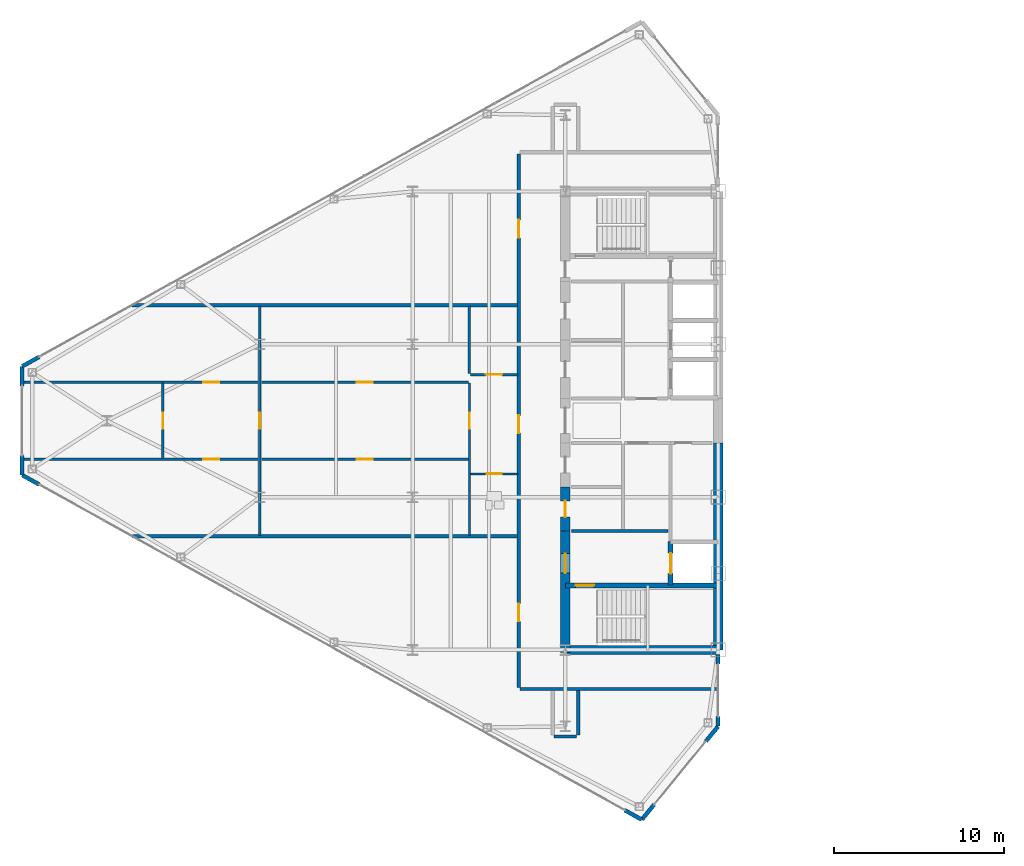
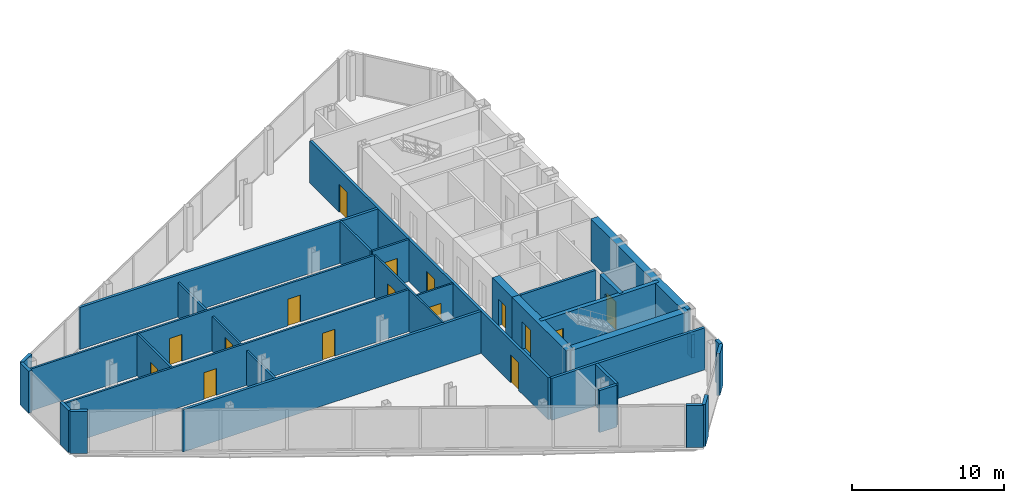
# One storey, part 19 of 26: 30 walls, 16 doors, 16 openings.
"""IFC4 building model written with IfcOpenShell, lengths in metres."""

import ifcopenshell
import ifcopenshell.guid

model = None  # the IFC model being written
_history = None  # IfcOwnerHistory: only IFC2X3 demands one
_inside = {}  # id of a spatial element -> (the spatial element, [elements in it])
_under = {}  # id of a project, library or spatial element -> (it, [spatial elements below it])
_declared = {}  # id of a project -> (the project, [libraries it declares])
_typed = {}  # id of a type object -> (the type object, [elements of that type])
_made_of = {}  # id of a material, layer set ... -> (it, [elements and type objects made of it])


def new_model(schema):
    """Start an empty IFC model of exactly this schema.

    Asked for "IFC4X3", IfcOpenShell would pick the latest addendum, in which some entities
    have other attributes; the version numbers below select the first issue.
    IFC2X3 requires an IfcOwnerHistory on every rooted entity: one is made here for all.
    """
    global model, _history
    if schema == "IFC4X3":
        model = ifcopenshell.file(schema_version=(4, 3, 0, 0))
    else:
        model = ifcopenshell.file(schema=schema)
    _inside.clear()
    _under.clear()
    _declared.clear()
    _typed.clear()
    _made_of.clear()
    _history = None
    if model.schema == "IFC2X3":
        org = make("IfcOrganization", Name="unknown")
        user = make(
            "IfcPersonAndOrganization",
            ThePerson=make("IfcPerson", FamilyName="unknown"),
            TheOrganization=org,
        )
        app = make(
            "IfcApplication",
            ApplicationDeveloper=org,
            Version="unknown",
            ApplicationFullName="unknown",
            ApplicationIdentifier="unknown",
        )
        _history = make(
            "IfcOwnerHistory",
            OwningUser=user,
            OwningApplication=app,
            ChangeAction="ADDED",
            CreationDate=0,
        )
    return model


def make(cls, **values):
    """One entity of the class cls with the attributes given. An attribute that is None is left unset."""
    return model.create_entity(
        cls, **{name: value for name, value in values.items() if value is not None}
    )


def rooted(cls, **values):
    """An entity with a GlobalId (a new one), such as an element, a storey or a relation."""
    return make(cls, GlobalId=ifcopenshell.guid.new(), OwnerHistory=_history, **values)


def si_unit(unit_type, name, prefix=None):
    """IfcSIUnit, for example si_unit("LENGTHUNIT", "METRE", prefix="MILLI")."""
    return make("IfcSIUnit", UnitType=unit_type, Prefix=prefix, Name=name)


def assignment(units):
    """IfcUnitAssignment: the units of a project."""
    return None if units is None else make("IfcUnitAssignment", Units=units)


def point(xyz):
    """IfcCartesianPoint."""
    return None if xyz is None else make("IfcCartesianPoint", Coordinates=xyz)


def direction(xyz):
    """IfcDirection."""
    return None if xyz is None else make("IfcDirection", DirectionRatios=xyz)


def frame(location, z_axis=None, x_axis=None):
    """IfcAxis2Placement3D, a coordinate frame: its origin and axes. An axis left out is left unset."""
    return make(
        "IfcAxis2Placement3D",
        Location=point(location),
        Axis=direction(z_axis),
        RefDirection=direction(x_axis),
    )


def frame_2d(location, x_axis=None):
    """IfcAxis2Placement2D, a coordinate frame in the plane: its origin and x axis."""
    return make(
        "IfcAxis2Placement2D", Location=point(location), RefDirection=direction(x_axis)
    )


def origin():
    """The frame at (0, 0, 0) with its axes left unset."""
    return frame((0.0, 0.0, 0.0))


def place(relative_to, where):
    """IfcLocalPlacement: puts the frame where relative to a parent placement (None: the world)."""
    return make(
        "IfcLocalPlacement", PlacementRelTo=relative_to, RelativePlacement=where
    )


def context(
    kind, dimensions, precision=None, world=None, true_north=None, identifier=None
):
    """IfcGeometricRepresentationContext, for example the 3D "Model" context."""
    return make(
        "IfcGeometricRepresentationContext",
        ContextIdentifier=identifier,
        ContextType=kind,
        CoordinateSpaceDimension=dimensions,
        Precision=precision,
        WorldCoordinateSystem=world,
        TrueNorth=true_north,
    )


def subcontext(parent, identifier, kind, view, scale=None):
    """IfcGeometricRepresentationSubContext, for example "Body" below "Model"."""
    return make(
        "IfcGeometricRepresentationSubContext",
        ContextIdentifier=identifier,
        ContextType=kind,
        ParentContext=parent,
        TargetScale=scale,
        TargetView=view,
    )


def project(units=None, contexts=None):
    """IfcProject with its units and contexts."""
    return rooted(
        "IfcProject",
        Name="project",
        RepresentationContexts=contexts,
        UnitsInContext=assignment(units),
    )


def spatial(cls, under=None, at=None, **own):
    """A site, building, storey or space (cls), placed at a placement, below another one or the project."""
    s = rooted(cls, ObjectPlacement=at, **own)
    if under is not None:
        _under.setdefault(under.id(), (under, []))[1].append(s)
    return s


def profile(cls, at=None, kind="AREA", **sizes):
    """A parametric profile (cls). Its sizes go by their IFC names, for example OverallWidth=200.0."""
    return make(cls, ProfileType=kind, Position=at, **sizes)


def rectangle(**sizes):
    """IfcRectangleProfileDef."""
    return profile("IfcRectangleProfileDef", **sizes)


def extrude(swept, where, along, depth):
    """IfcExtrudedAreaSolid: the profile swept, set in the frame where, extruded along a direction by depth."""
    return make(
        "IfcExtrudedAreaSolid",
        SweptArea=swept,
        Position=where,
        ExtrudedDirection=direction(along),
        Depth=depth,
    )


def shape(context_of_items, identifier, shape_type, items):
    """IfcShapeRepresentation: the items that make up one representation, for example the "Body"."""
    return make(
        "IfcShapeRepresentation",
        ContextOfItems=context_of_items,
        RepresentationIdentifier=identifier,
        RepresentationType=shape_type,
        Items=items,
    )


def source(mapping_origin, context_of_items, identifier, shape_type, items):
    """IfcRepresentationMap: a shape defined once, which mapped items show again and again."""
    return make(
        "IfcRepresentationMap",
        MappingOrigin=mapping_origin,
        MappedRepresentation=shape(context_of_items, identifier, shape_type, items),
    )


def transform(
    local_origin,
    x_axis=None,
    y_axis=None,
    z_axis=None,
    scale=None,
    scale2=None,
    scale3=None,
    uniform=True,
):
    """IfcCartesianTransformationOperator3D, or its non-uniform kind. x_axis, y_axis, z_axis: its Axis1, 2, 3."""
    if uniform:
        return make(
            "IfcCartesianTransformationOperator3D",
            Axis1=direction(x_axis),
            Axis2=direction(y_axis),
            LocalOrigin=point(local_origin),
            Scale=scale,
            Axis3=direction(z_axis),
        )
    return make(
        "IfcCartesianTransformationOperator3DnonUniform",
        Axis1=direction(x_axis),
        Axis2=direction(y_axis),
        LocalOrigin=point(local_origin),
        Scale=scale,
        Axis3=direction(z_axis),
        Scale2=scale2,
        Scale3=scale3,
    )


def mapped(mapping_source, mapping_target):
    """IfcMappedItem: shows the shape of a source again, moved by a transform."""
    return make(
        "IfcMappedItem", MappingSource=mapping_source, MappingTarget=mapping_target
    )


def material(Name=None, Category=None):
    """IfcMaterial."""
    return make("IfcMaterial", Name=Name, Category=Category)


def layer(
    of_material, thickness, ventilated=None, Name=None, Category=None, Priority=None
):
    """IfcMaterialLayer: one layer of a wall or slab, of a material (None: an air gap)."""
    return make(
        "IfcMaterialLayer",
        Material=of_material,
        LayerThickness=thickness,
        IsVentilated=ventilated,
        Name=Name,
        Category=Category,
        Priority=Priority,
    )


def layer_set(layers, Name=None):
    """IfcMaterialLayerSet."""
    return make("IfcMaterialLayerSet", MaterialLayers=layers, LayerSetName=Name)


def made_of(thing, what):
    """Note that an element or type object is made of a material, layer set ...; save() writes the relation."""
    if what is not None:
        _made_of.setdefault(what.id(), (what, []))[1].append(thing)
    return thing


def type_object(cls, material=None, **own):
    """A type object (cls), such as IfcWallType, which elements share."""
    return made_of(rooted(cls, **own), material)


def type_shapes(of_type, sources):
    """Give a type object the sources (RepresentationMaps) that its elements show as mapped items."""
    of_type.RepresentationMaps = sources


def element(
    cls,
    number,
    at=None,
    inside=None,
    cuts=None,
    type_object=None,
    material=None,
    context=None,
    identifier="Body",
    shape_type=None,
    held_by="IfcProductDefinitionShape",
    body=None,
    shapes=None,
    **own,
):
    """One element of the class cls, such as IfcWall. Its Tag is "e" and its number.

    at: its placement. inside: the storey or other place that contains it. cuts: it is an
    opening in that element (IfcRelVoidsElement). A single representation is given by context,
    identifier, shape_type and body (its items); several are given by shapes. held_by: the class
    of the entity that holds the representations. save() writes the other relations.
    """
    e = rooted(cls, Tag="e%d" % number, ObjectPlacement=at, **own)
    if body is not None:
        shapes = [shape(context, identifier, shape_type, body)]
    if shapes is not None:
        e.Representation = make(held_by, Representations=shapes)
    if inside is not None:
        _inside.setdefault(inside.id(), (inside, []))[1].append(e)
    if cuts is not None:
        rooted(
            "IfcRelVoidsElement", RelatingBuildingElement=cuts, RelatedOpeningElement=e
        )
    if type_object is not None:
        _typed.setdefault(type_object.id(), (type_object, []))[1].append(e)
    return made_of(e, material)


def fill(opening, filler):
    """IfcRelFillsElement: the door or window that sits in an opening."""
    return rooted(
        "IfcRelFillsElement",
        RelatingOpeningElement=opening,
        RelatedBuildingElement=filler,
    )


def aggregate(whole, parts):
    """IfcRelAggregates: a whole, such as a stair, and the parts it consists of."""
    return rooted("IfcRelAggregates", RelatingObject=whole, RelatedObjects=parts)


def save(model, path):
    """Write the relations noted so far, then the file.

    IfcRelAggregates (storeys below a building ...), IfcRelContainedInSpatialStructure (elements
    in a storey), IfcRelDefinesByType, IfcRelAssociatesMaterial and IfcRelDeclares: one each for
    every whole, place, type object, material and project.
    """
    for whole, parts in _under.values():
        aggregate(whole, parts)
    for where, things in _inside.values():
        rooted(
            "IfcRelContainedInSpatialStructure",
            RelatedElements=things,
            RelatingStructure=where,
        )
    for kind, things in _typed.values():
        rooted("IfcRelDefinesByType", RelatedObjects=things, RelatingType=kind)
    for what, things in _made_of.values():
        rooted("IfcRelAssociatesMaterial", RelatedObjects=things, RelatingMaterial=what)
    for by, libraries in _declared.values():
        rooted("IfcRelDeclares", RelatingContext=by, RelatedDefinitions=libraries)
    model.write(path)


model = new_model("IFC4")

# Units and contexts
model_context = context("Model", 3, precision=1e-05, world=origin(), true_north=direction((0.0, 1.0)))
body_context = subcontext(model_context, "Body", "Model", "MODEL_VIEW")
ifc_project = project(units=[si_unit("LENGTHUNIT", "METRE"), si_unit("AREAUNIT", "SQUARE_METRE"), si_unit("VOLUMEUNIT", "CUBIC_METRE"), si_unit("PLANEANGLEUNIT", "RADIAN"), si_unit("MASSUNIT", "GRAM", prefix="KILO")], contexts=[model_context])

# Site, building, storey
site_placement = place(None, origin())
site = spatial("IfcSite", under=ifc_project, at=site_placement, CompositionType="ELEMENT")
building_placement = place(site_placement, origin())
building = spatial("IfcBuilding", under=site, at=building_placement, Name="Seokmaru Belvedere", CompositionType="ELEMENT")
storey_placement = place(building_placement, frame((0.0, 0.0, 192.300048828125)))
storey = spatial("IfcBuildingStorey", under=building, at=storey_placement, Name="L51", CompositionType="ELEMENT", Elevation=192.300048828125)

# Wall, openings, doors
ifc_material_1 = material(Name="Fire-Rated Gypsum Shaftwall")
ifc_layer_1 = layer(ifc_material_1, 0.14990234375)
ifc_layer_set_1 = layer_set([ifc_layer_1], Name="Fire-Rated Gypsum Shaftwall")
wall_type_1 = type_object("IfcWallType", Name="Apartment Fire-Acoustic Room Partition 150", PredefinedType="PARTITIONING", material=ifc_layer_set_1)
wall_1_placement = place(storey_placement, frame((-68.375, -2.27001953125, 0.0), z_axis=(0.0, 0.0, 1.0), x_axis=(1.0, 0.0, 0.0)))
wall_1 = element("IfcWall", 1, at=wall_1_placement, inside=storey, type_object=wall_type_1, Name="L51 Interior Partition 010", PredefinedType="PARTITIONING", context=body_context, shape_type="SweptSolid", body=[
    extrude(rectangle(XDim=26.175048828125, YDim=0.14990234375, at=frame_2d((13.08740234375, 0.0))), origin(), (0.0, 0.0, 1.0), 3.3798828125),
])
opening_1_placement = place(wall_1_placement, frame((19.574951171875, 0.0, 0.0)))
opening_1 = element("IfcOpeningElement", 2, at=opening_1_placement, cuts=wall_1, Name="Opening D05", PredefinedType="OPENING", context=body_context, shape_type="SweptSolid", body=[
    extrude(rectangle(XDim=0.949951171875, YDim=2.14990234375, at=frame_2d((0.47509765625, 1.074951171875))), frame((0.0, 0.0849609375, 0.0), z_axis=(0.0, -1.0, 0.0), x_axis=(1.0, 0.0, 0.0)), (0.0, 0.0, 1.0), 0.169921875),
])
opening_2_placement = place(wall_1_placement, frame((10.550048828125, 0.0, 0.0)))
opening_2 = element("IfcOpeningElement", 3, at=opening_2_placement, cuts=wall_1, Name="Opening D05", PredefinedType="OPENING", context=body_context, shape_type="SweptSolid", body=[
    extrude(rectangle(XDim=0.949951171875, YDim=2.14990234375, at=frame_2d((0.47509765625, 1.074951171875))), frame((0.0, 0.0849609375, 0.0), z_axis=(0.0, -1.0, 0.0), x_axis=(1.0, 0.0, 0.0)), (0.0, 0.0, 1.0), 0.169921875),
])
ifc_material_2 = material(Name="Engineered White Oak Timber", Category="wood")
door_type_1 = type_object("IfcDoorType", Name="Apartment Interior Fire-Rated Oak Door 950x2150", OperationType="NOTDEFINED", PredefinedType="DOOR", material=ifc_material_2)
shared_shape_1 = source(origin(), body_context, "Body", "SweptSolid", [
    extrude(rectangle(XDim=0.949951171875, YDim=2.14990234375, at=frame_2d((0.47509765625, 1.074951171875))), frame((0.0, 0.02490234375, 0.0), z_axis=(0.0, -1.0, 0.0), x_axis=(1.0, 0.0, 0.0)), (0.0, 0.0, 1.0), 0.050048828125),
])
type_shapes(door_type_1, [shared_shape_1])
door_1_placement = place(opening_1_placement, origin())
door_1 = element("IfcDoor", 4, at=door_1_placement, inside=storey, type_object=door_type_1, Name="L51 Interior Door 007", OperationType="SINGLE_SWING_RIGHT", OverallHeight=2.14990234375, OverallWidth=0.949951171875, PredefinedType="DOOR", context=body_context, shape_type="MappedRepresentation", body=[
    mapped(shared_shape_1, transform((0.0, 0.0, 0.0), scale=1.0)),
])
fill(opening_1, door_1)
door_2_placement = place(opening_2_placement, origin())
door_2 = element("IfcDoor", 5, at=door_2_placement, inside=storey, type_object=door_type_1, Name="L51 Interior Door 009", OperationType="SINGLE_SWING_LEFT", OverallHeight=2.14990234375, OverallWidth=0.949951171875, PredefinedType="DOOR", context=body_context, shape_type="MappedRepresentation", body=[
    mapped(shared_shape_1, transform((0.0, 0.0, 0.0), scale=1.0)),
])
fill(opening_2, door_2)

wall_2_placement = place(storey_placement, frame((-68.375, 2.27001953125, 0.0), z_axis=(0.0, 0.0, 1.0), x_axis=(1.0, 0.0, 0.0)))
wall_2 = element("IfcWall", 6, at=wall_2_placement, inside=storey, type_object=wall_type_1, Name="L51 Interior Partition 013", PredefinedType="PARTITIONING", context=body_context, shape_type="SweptSolid", body=[
    extrude(rectangle(XDim=26.175048828125, YDim=0.14990234375, at=frame_2d((13.08740234375, 0.0))), origin(), (0.0, 0.0, 1.0), 3.3798828125),
])
opening_3_placement = place(wall_2_placement, frame((19.574951171875, 0.0, 0.0)))
opening_3 = element("IfcOpeningElement", 7, at=opening_3_placement, cuts=wall_2, Name="Opening D05", PredefinedType="OPENING", context=body_context, shape_type="SweptSolid", body=[
    extrude(rectangle(XDim=0.949951171875, YDim=2.14990234375, at=frame_2d((0.47509765625, 1.074951171875))), frame((0.0, 0.0849609375, 0.0), z_axis=(0.0, -1.0, 0.0), x_axis=(1.0, 0.0, 0.0)), (0.0, 0.0, 1.0), 0.169921875),
])
opening_4_placement = place(wall_2_placement, frame((10.550048828125, 0.0, 0.0)))
opening_4 = element("IfcOpeningElement", 8, at=opening_4_placement, cuts=wall_2, Name="Opening D05", PredefinedType="OPENING", context=body_context, shape_type="SweptSolid", body=[
    extrude(rectangle(XDim=0.949951171875, YDim=2.14990234375, at=frame_2d((0.47509765625, 1.074951171875))), frame((0.0, 0.0849609375, 0.0), z_axis=(0.0, -1.0, 0.0), x_axis=(1.0, 0.0, 0.0)), (0.0, 0.0, 1.0), 0.169921875),
])
door_3_placement = place(opening_3_placement, origin())
door_3 = element("IfcDoor", 9, at=door_3_placement, inside=storey, type_object=door_type_1, Name="L51 Interior Door 008", OperationType="SINGLE_SWING_LEFT", OverallHeight=2.14990234375, OverallWidth=0.949951171875, PredefinedType="DOOR", context=body_context, shape_type="MappedRepresentation", body=[
    mapped(shared_shape_1, transform((0.0, 0.0, 0.0), scale=1.0)),
])
fill(opening_3, door_3)
door_4_placement = place(opening_4_placement, origin())
door_4 = element("IfcDoor", 10, at=door_4_placement, inside=storey, type_object=door_type_1, Name="L51 Interior Door 011", OperationType="SINGLE_SWING_RIGHT", OverallHeight=2.14990234375, OverallWidth=0.949951171875, PredefinedType="DOOR", context=body_context, shape_type="MappedRepresentation", body=[
    mapped(shared_shape_1, transform((0.0, 0.0, 0.0), scale=1.0)),
])
fill(opening_4, door_4)

# Wall, opening, door
wall_3_placement = place(storey_placement, frame((-42.10009765625, 2.719970703125, 0.0), z_axis=(0.0, 0.0, 1.0), x_axis=(1.0, 0.0, 0.0)))
wall_3 = element("IfcWall", 11, at=wall_3_placement, inside=storey, type_object=wall_type_1, Name="L51 Interior Partition 014", PredefinedType="PARTITIONING", context=body_context, shape_type="SweptSolid", body=[
    extrude(rectangle(XDim=2.800048828125, YDim=0.14990234375, at=frame_2d((1.39990234375, 0.0))), origin(), (0.0, 0.0, 1.0), 3.3798828125),
])
opening_5_placement = place(wall_3_placement, frame((0.925048828125, 0.0, 0.0)))
opening_5 = element("IfcOpeningElement", 12, at=opening_5_placement, cuts=wall_3, Name="Opening D05", PredefinedType="OPENING", context=body_context, shape_type="SweptSolid", body=[
    extrude(rectangle(XDim=0.949951171875, YDim=2.14990234375, at=frame_2d((0.47509765625, 1.074951171875))), frame((0.0, 0.0849609375, 0.0), z_axis=(0.0, -1.0, 0.0), x_axis=(1.0, 0.0, 0.0)), (0.0, 0.0, 1.0), 0.169921875),
])
door_5_placement = place(opening_5_placement, origin())
door_5 = element("IfcDoor", 13, at=door_5_placement, inside=storey, type_object=door_type_1, Name="L51 Interior Door 004", OperationType="SINGLE_SWING_LEFT", OverallHeight=2.14990234375, OverallWidth=0.949951171875, PredefinedType="DOOR", context=body_context, shape_type="MappedRepresentation", body=[
    mapped(shared_shape_1, transform((0.0, 0.0, 0.0), scale=1.0)),
])
fill(opening_5, door_5)

wall_4_placement = place(storey_placement, frame((-60.199951171875, -2.217041015625, 0.0), z_axis=(0.0, 0.0, 1.0), x_axis=(0.0, 1.0, 0.0)))
wall_4 = element("IfcWall", 14, at=wall_4_placement, inside=storey, type_object=wall_type_1, Name="L51 Interior Partition 021", PredefinedType="PARTITIONING", context=body_context, shape_type="SweptSolid", body=[
    extrude(rectangle(XDim=4.43408203125, YDim=0.14990234375, at=frame_2d((2.217041015625, 0.0))), origin(), (0.0, 0.0, 1.0), 3.3798828125),
])
opening_6_placement = place(wall_4_placement, frame((1.741943359375, 0.0, 0.0)))
opening_6 = element("IfcOpeningElement", 15, at=opening_6_placement, cuts=wall_4, Name="Opening D05", PredefinedType="OPENING", context=body_context, shape_type="SweptSolid", body=[
    extrude(rectangle(XDim=0.949951171875, YDim=2.14990234375, at=frame_2d((0.47509765625, 1.074951171875))), frame((0.0, 0.0849609375, 0.0), z_axis=(0.0, -1.0, 0.0), x_axis=(1.0, 0.0, 0.0)), (0.0, 0.0, 1.0), 0.169921875),
])
door_6_placement = place(opening_6_placement, origin())
door_6 = element("IfcDoor", 16, at=door_6_placement, inside=storey, type_object=door_type_1, Name="L51 Interior Door 010", OperationType="SINGLE_SWING_RIGHT", OverallHeight=2.14990234375, OverallWidth=0.949951171875, PredefinedType="DOOR", context=body_context, shape_type="MappedRepresentation", body=[
    mapped(shared_shape_1, transform((0.0, 0.0, 0.0), scale=1.0)),
])
fill(opening_6, door_6)

wall_5_placement = place(storey_placement, frame((-54.5, -6.75, 0.0), z_axis=(0.0, 0.0, 1.0), x_axis=(0.0, 1.0, 0.0)))
wall_5 = element("IfcWall", 17, at=wall_5_placement, inside=storey, type_object=wall_type_1, Name="L51 Interior Partition 022", PredefinedType="PARTITIONING", context=body_context, shape_type="SweptSolid", body=[
    extrude(rectangle(XDim=13.5, YDim=0.14990234375, at=frame_2d((6.75, 0.0))), origin(), (0.0, 0.0, 1.0), 2.780029296875),
])
opening_7_placement = place(wall_5_placement, frame((6.27490234375, 0.0, 0.0)))
opening_7 = element("IfcOpeningElement", 18, at=opening_7_placement, cuts=wall_5, Name="Opening D05", PredefinedType="OPENING", context=body_context, shape_type="SweptSolid", body=[
    extrude(rectangle(XDim=0.949951171875, YDim=2.14990234375, at=frame_2d((0.47509765625, 1.074951171875))), frame((0.0, 0.0849609375, 0.0), z_axis=(0.0, -1.0, 0.0), x_axis=(1.0, 0.0, 0.0)), (0.0, 0.0, 1.0), 0.169921875),
])
door_7_placement = place(opening_7_placement, origin())
door_7 = element("IfcDoor", 19, at=door_7_placement, inside=storey, type_object=door_type_1, Name="L51 Interior Door 006", OperationType="SINGLE_SWING_RIGHT", OverallHeight=2.14990234375, OverallWidth=0.949951171875, PredefinedType="DOOR", context=body_context, shape_type="MappedRepresentation", body=[
    mapped(shared_shape_1, transform((0.0, 0.0, 0.0), scale=1.0)),
])
fill(opening_7, door_7)

# Walls
wall_6_placement = place(storey_placement, frame((-42.14990234375, 2.77197265625, 0.0), z_axis=(0.0, 0.0, 1.0), x_axis=(0.0, 1.0, 0.0)))
element("IfcWall", 20, at=wall_6_placement, inside=storey, type_object=wall_type_1, Name="L51 Interior Partition 024", PredefinedType="PARTITIONING", context=body_context, shape_type="SweptSolid", body=[
    extrude(rectangle(XDim=3.97802734375, YDim=0.14990234375, at=frame_2d((1.989013671875, 0.0))), origin(), (0.0, 0.0, 1.0), 3.3798828125),
])
ifc_layer_2 = layer(ifc_material_1, 0.179931640625)
ifc_layer_set_2 = layer_set([ifc_layer_2], Name="Fire-Rated Gypsum Shaftwall")
wall_type_2 = type_object("IfcWallType", Name="Core Service Fire Partition 180", PredefinedType="PARTITIONING", material=ifc_layer_set_2)
wall_7_placement = place(storey_placement, frame((-36.14990234375, -6.5, 0.0), z_axis=(0.0, 0.0, 1.0), x_axis=(1.0, 0.0, 0.0)))
element("IfcWall", 21, at=wall_7_placement, inside=storey, type_object=wall_type_2, Name="L51 West Firefighting Lobby Partition", PredefinedType="PARTITIONING", context=body_context, shape_type="SweptSolid", body=[
    extrude(rectangle(XDim=5.699951171875, YDim=0.179931640625, at=frame_2d((2.85009765625, 0.0))), origin(), (0.0, 0.0, 1.0), 3.3798828125),
])
ifc_layer_3 = layer(ifc_material_1, 0.199951171875)
ifc_layer_set_3 = layer_set([ifc_layer_3], Name="Fire-Rated Gypsum Shaftwall")
wall_type_3 = type_object("IfcWallType", Name="Inter-Tenancy Fire Compartment Partition 200", PredefinedType="PARTITIONING", material=ifc_layer_set_3)
wall_8_placement = place(storey_placement, frame((-37.1650390625, -18.60009765625, 0.0), z_axis=(0.0, 0.0, 1.0), x_axis=(1.0, 0.0, 0.0)))
element("IfcWall", 22, at=wall_8_placement, inside=storey, type_object=wall_type_3, Name="L51 Interior Partition 001", PredefinedType="PARTITIONING", context=body_context, shape_type="SweptSolid", body=[
    extrude(rectangle(XDim=1.330078125, YDim=0.199951171875, at=frame_2d((0.6650390625, 0.0))), origin(), (0.0, 0.0, 1.0), 3.3798828125),
])
wall_9_placement = place(storey_placement, frame((-39.1650390625, -15.800048828125, 0.0), z_axis=(0.0, 0.0, 1.0), x_axis=(1.0, 0.0, 0.0)))
element("IfcWall", 23, at=wall_9_placement, inside=storey, type_object=wall_type_3, Name="L51 Interior Partition 003", PredefinedType="PARTITIONING", context=body_context, shape_type="SweptSolid", body=[
    extrude(rectangle(XDim=11.6650390625, YDim=0.199951171875, at=frame_2d((5.83251953125, 0.0))), origin(), (0.0, 0.0, 1.0), 3.3798828125),
])
for number, where, z_axis, x_axis, name in (
    (24, (-62.037109375, -6.800048828125, 0.0), (0.0, 0.0, 1.0), (1.0, 0.0, 0.0), "L51 Interior Partition 006"),
    (25, (-62.037109375, 6.800048828125, 0.0), (0.0, 0.0, 1.0), (1.0, 0.0, 0.0), "L51 Interior Partition 016"),
):
    element("IfcWall", number, at=place(storey_placement, frame(where, z_axis=z_axis, x_axis=x_axis)), inside=storey, type_object=wall_type_3, Name=name, PredefinedType="PARTITIONING", context=body_context, shape_type="SweptSolid", body=[
        extrude(rectangle(XDim=22.70703125, YDim=0.199951171875, at=frame_2d((11.353515625, 0.0))), origin(), (0.0, 0.0, 1.0), 3.3798828125),
    ])

# Wall, openings, doors
wall_10_placement = place(storey_placement, frame((-39.25, -15.715087890625, 0.0), z_axis=(0.0, 0.0, 1.0), x_axis=(0.0, 1.0, 0.0)))
wall_10 = element("IfcWall", 26, at=wall_10_placement, inside=storey, type_object=wall_type_3, Name="L51 Interior Partition 025", PredefinedType="PARTITIONING", context=body_context, shape_type="SweptSolid", body=[
    extrude(rectangle(XDim=31.43017578125, YDim=0.199951171875, at=frame_2d((15.715087890625, 0.0))), origin(), (0.0, 0.0, 1.0), 3.3798828125),
])
opening_8_placement = place(wall_10_placement, frame((3.889892578125, 0.0, 0.0)))
opening_8 = element("IfcOpeningElement", 27, at=opening_8_placement, cuts=wall_10, Name="Opening D03", PredefinedType="OPENING", context=body_context, shape_type="SweptSolid", body=[
    extrude(rectangle(XDim=1.050048828125, YDim=2.25, at=frame_2d((0.52490234375, 1.125))), frame((0.0, 0.10986328125, 0.0), z_axis=(0.0, -1.0, 0.0), x_axis=(1.0, 0.0, 0.0)), (0.0, 0.0, 1.0), 0.219970703125),
])
opening_9_placement = place(wall_10_placement, frame((14.986083984375, 0.0, 0.0)))
opening_9 = element("IfcOpeningElement", 28, at=opening_9_placement, cuts=wall_10, Name="Opening D03", PredefinedType="OPENING", context=body_context, shape_type="SweptSolid", body=[
    extrude(rectangle(XDim=1.050048828125, YDim=2.25, at=frame_2d((0.52490234375, 1.125))), frame((0.0, 0.10986328125, 0.0), z_axis=(0.0, -1.0, 0.0), x_axis=(1.0, 0.0, 0.0)), (0.0, 0.0, 1.0), 0.219970703125),
])
opening_10_placement = place(wall_10_placement, frame((26.489990234375, 0.0, 0.0)))
opening_10 = element("IfcOpeningElement", 29, at=opening_10_placement, cuts=wall_10, Name="Opening D03", PredefinedType="OPENING", context=body_context, shape_type="SweptSolid", body=[
    extrude(rectangle(XDim=1.050048828125, YDim=2.25, at=frame_2d((0.52490234375, 1.125))), frame((0.0, 0.10986328125, 0.0), z_axis=(0.0, -1.0, 0.0), x_axis=(1.0, 0.0, 0.0)), (0.0, 0.0, 1.0), 0.219970703125),
])
ifc_material_3 = material(Name="Fire-Rated Steel Leaf", Category="steel")
door_type_2 = type_object("IfcDoorType", Name="Apartment Entrance Fire Door 1050x2250", OperationType="NOTDEFINED", PredefinedType="DOOR", material=ifc_material_3)
shared_shape_2 = source(origin(), body_context, "Body", "SweptSolid", [
    extrude(rectangle(XDim=1.050048828125, YDim=2.25, at=frame_2d((0.52490234375, 1.125))), frame((0.0, 0.02490234375, 0.0), z_axis=(0.0, -1.0, 0.0), x_axis=(1.0, 0.0, 0.0)), (0.0, 0.0, 1.0), 0.050048828125),
])
type_shapes(door_type_2, [shared_shape_2])
door_8_placement = place(opening_8_placement, origin())
door_8 = element("IfcDoor", 30, at=door_8_placement, inside=storey, type_object=door_type_2, Name="L51 Interior Door 001", OperationType="SINGLE_SWING_RIGHT", OverallHeight=2.25, OverallWidth=1.050048828125, PredefinedType="DOOR", context=body_context, shape_type="MappedRepresentation", body=[
    mapped(shared_shape_2, transform((0.0, 0.0, 0.0), scale=1.0)),
])
fill(opening_8, door_8)
door_9_placement = place(opening_9_placement, origin())
door_9 = element("IfcDoor", 31, at=door_9_placement, inside=storey, type_object=door_type_2, Name="L51 Interior Door 002", OperationType="SINGLE_SWING_LEFT", OverallHeight=2.25, OverallWidth=1.050048828125, PredefinedType="DOOR", context=body_context, shape_type="MappedRepresentation", body=[
    mapped(shared_shape_2, transform((0.0, 0.0, 0.0), scale=1.0)),
])
fill(opening_9, door_9)
door_10_placement = place(opening_10_placement, origin())
door_10 = element("IfcDoor", 32, at=door_10_placement, inside=storey, type_object=door_type_2, Name="L51 Interior Door 012", OperationType="SINGLE_SWING_RIGHT", OverallHeight=2.25, OverallWidth=1.050048828125, PredefinedType="DOOR", context=body_context, shape_type="MappedRepresentation", body=[
    mapped(shared_shape_2, transform((0.0, 0.0, 0.0), scale=1.0)),
])
fill(opening_10, door_10)

# Wall
wall_11_placement = place(storey_placement, frame((-35.75, -18.514892578125, 0.0), z_axis=(0.0, 0.0, 1.0), x_axis=(0.0, 1.0, 0.0)))
element("IfcWall", 33, at=wall_11_placement, inside=storey, type_object=wall_type_3, Name="L51 Interior Partition 028", PredefinedType="PARTITIONING", context=body_context, shape_type="SweptSolid", body=[
    extrude(rectangle(XDim=2.6298828125, YDim=0.199951171875, at=frame_2d((1.31494140625, 0.0))), origin(), (0.0, 0.0, 1.0), 3.3798828125),
])

# Wall, opening, door
ifc_material_4 = material(Name="Concrete C50 (50 MPa)", Category="concrete")
ifc_layer_4 = layer(ifc_material_4, 0.300048828125)
ifc_layer_set_4 = layer_set([ifc_layer_4], Name="Concrete C50 (50 MPa)")
wall_type_4 = type_object("IfcWallType", Name="Internal Core Stair and Hoistway Wall 300", PredefinedType="SHEAR", material=ifc_layer_set_4)
wall_12_placement = place(storey_placement, frame((-36.5, -9.699951171875, 0.0), z_axis=(0.0, 0.0, 1.0), x_axis=(1.0, 0.0, 0.0)))
wall_12 = element("IfcWall", 34, at=wall_12_placement, inside=storey, type_object=wall_type_4, Name="L51 West Stair ST-1 Enclosure Wall", PredefinedType="SHEAR", context=body_context, shape_type="SweptSolid", body=[
    extrude(rectangle(XDim=9.0, YDim=0.300048828125, at=frame_2d((4.5, 0.0))), origin(), (0.0, 0.0, 1.0), 3.3798828125),
])
opening_11_placement = place(wall_12_placement, frame((0.60009765625, 0.0, 0.0)))
opening_11 = element("IfcOpeningElement", 35, at=opening_11_placement, cuts=wall_12, Name="Opening D01", PredefinedType="OPENING", context=body_context, shape_type="SweptSolid", body=[
    extrude(rectangle(XDim=1.10009765625, YDim=2.199951171875, at=frame_2d((0.550048828125, 1.10009765625))), frame((0.0, 0.16015625, 0.0), z_axis=(0.0, -1.0, 0.0), x_axis=(1.0, 0.0, 0.0)), (0.0, 0.0, 1.0), 0.320068359375),
])
door_type_3 = type_object("IfcDoorType", Name="Special Escape Stair Smokeproof Fire Door 1100x2200", OperationType="NOTDEFINED", PredefinedType="DOOR", material=ifc_material_3)
shared_shape_3 = source(origin(), body_context, "Body", "SweptSolid", [
    extrude(rectangle(XDim=1.10009765625, YDim=2.199951171875, at=frame_2d((0.550048828125, 1.10009765625))), frame((0.0, 0.02490234375, 0.0), z_axis=(0.0, -1.0, 0.0), x_axis=(1.0, 0.0, 0.0)), (0.0, 0.0, 1.0), 0.050048828125),
])
type_shapes(door_type_3, [shared_shape_3])
door_11_placement = place(opening_11_placement, frame((1.10009765625, 0.0, 0.0), z_axis=(0.0, 0.0, 1.0), x_axis=(-1.0, 0.0, 0.0)))
door_11 = element("IfcDoor", 36, at=door_11_placement, inside=storey, type_object=door_type_3, Name="L51 West Special Escape Stair ST-1 Door", OperationType="SINGLE_SWING_LEFT", OverallHeight=2.199951171875, OverallWidth=1.10009765625, PredefinedType="DOOR", context=body_context, shape_type="MappedRepresentation", body=[
    mapped(shared_shape_3, transform((0.0, 0.0, 0.0), scale=1.0)),
])
fill(opening_11, door_11)

wall_13_placement = place(storey_placement, frame((-30.300048828125, -9.679931640625, 0.0), z_axis=(0.0, 0.0, 1.0), x_axis=(0.0, 1.0, 0.0)))
wall_13 = element("IfcWall", 37, at=wall_13_placement, inside=storey, type_object=wall_type_4, Name="L51 West Firefighting Lift Shaft Front Wall", PredefinedType="SHEAR", context=body_context, shape_type="SweptSolid", body=[
    extrude(rectangle(XDim=2.559814453125, YDim=0.300048828125, at=frame_2d((1.27978515625, 0.0))), origin(), (0.0, 0.0, 1.0), 3.3798828125),
])
opening_12_placement = place(wall_13_placement, frame((0.679931640625, 0.0, 0.0)))
opening_12 = element("IfcOpeningElement", 38, at=opening_12_placement, cuts=wall_13, Name="Opening LD2", PredefinedType="OPENING", context=body_context, shape_type="SweptSolid", body=[
    extrude(rectangle(XDim=1.199951171875, YDim=2.25, at=frame_2d((0.60009765625, 1.125))), frame((0.0, 0.16015625, 0.0), z_axis=(0.0, -1.0, 0.0), x_axis=(1.0, 0.0, 0.0)), (0.0, 0.0, 1.0), 0.320068359375),
])
ifc_material_5 = material(Name="Stainless Steel 316", Category="steel")
door_type_4 = type_object("IfcDoorType", Name="Firefighting Lift Sliding Landing Door 1200x2250", OperationType="DOUBLE_DOOR_SLIDING", PredefinedType="DOOR", material=ifc_material_5)
shared_shape_4 = source(origin(), body_context, "Body", "SweptSolid", [
    extrude(rectangle(XDim=1.199951171875, YDim=2.25, at=frame_2d((0.60009765625, 1.125))), frame((0.0, 0.02490234375, 0.0), z_axis=(0.0, -1.0, 0.0), x_axis=(1.0, 0.0, 0.0)), (0.0, 0.0, 1.0), 0.050048828125),
])
type_shapes(door_type_4, [shared_shape_4])
door_12_placement = place(opening_12_placement, origin())
door_12 = element("IfcDoor", 39, at=door_12_placement, inside=storey, type_object=door_type_4, Name="L51 West Firefighting Lift Landing Door", OperationType="DOUBLE_DOOR_SLIDING", OverallHeight=2.25, OverallWidth=1.199951171875, PredefinedType="DOOR", context=body_context, shape_type="MappedRepresentation", body=[
    mapped(shared_shape_4, transform((0.0, 0.0, 0.0), scale=1.0)),
])
fill(opening_12, door_12)

# Walls
ifc_layer_5 = layer(ifc_material_4, 0.550048828125)
ifc_layer_set_5 = layer_set([ifc_layer_5], Name="Concrete C50 (50 MPa)")
wall_type_5 = type_object("IfcWallType", Name="Mid-High Reinforced Concrete Core Wall 550", PredefinedType="SHEAR", material=ifc_layer_set_5)
wall_14_placement = place(storey_placement, frame((-27.5, -13.5, 0.0), z_axis=(0.0, 0.0, 1.0), x_axis=(0.0, 1.0, 0.0)))
element("IfcWall", 40, at=wall_14_placement, inside=storey, type_object=wall_type_5, Name="L51 West Portal Spine Core Wall South", PredefinedType="SHEAR", context=body_context, shape_type="SweptSolid", body=[
    extrude(rectangle(XDim=12.199951171875, YDim=0.550048828125, at=frame_2d((6.10009765625, 0.0))), origin(), (0.0, 0.0, 1.0), 3.3798828125),
])
wall_15_placement = place(storey_placement, frame((-36.5, -13.5, 0.0), z_axis=(0.0, 0.0, 1.0), x_axis=(1.0, 0.0, 0.0)))
element("IfcWall", 41, at=wall_15_placement, inside=storey, type_object=wall_type_5, Name="L51 West South Core Wall", PredefinedType="SHEAR", context=body_context, shape_type="SweptSolid", body=[
    extrude(rectangle(XDim=9.0, YDim=0.550048828125, at=frame_2d((4.5, 0.0))), origin(), (0.0, 0.0, 1.0), 3.3798828125),
])

# Wall, opening, door
wall_16_placement = place(storey_placement, frame((-36.5, -13.64990234375, 0.0), z_axis=(0.0, 0.0, 1.0), x_axis=(0.0, 1.0, 0.0)))
wall_16 = element("IfcWall", 42, at=wall_16_placement, inside=storey, type_object=wall_type_5, Name="L51 West West Core Wall FF", PredefinedType="SHEAR", context=body_context, shape_type="SweptSolid", body=[
    extrude(rectangle(XDim=7.14990234375, YDim=0.550048828125, at=frame_2d((3.574951171875, 0.0))), origin(), (0.0, 0.0, 1.0), 3.3798828125),
])
opening_13_placement = place(wall_16_placement, frame((4.675048828125, 0.0, 0.0)))
opening_13 = element("IfcOpeningElement", 43, at=opening_13_placement, cuts=wall_16, Name="Opening D02", PredefinedType="OPENING", context=body_context, shape_type="SweptSolid", body=[
    extrude(rectangle(XDim=1.14990234375, YDim=2.199951171875, at=frame_2d((0.574951171875, 1.10009765625))), frame((0.0, 0.28515625, 0.0), z_axis=(0.0, -1.0, 0.0), x_axis=(1.0, 0.0, 0.0)), (0.0, 0.0, 1.0), 0.570068359375),
])
door_type_5 = type_object("IfcDoorType", Name="Lobby and Vestibule Fire Door 1150x2200", OperationType="NOTDEFINED", PredefinedType="DOOR", material=ifc_material_3)
shared_shape_5 = source(origin(), body_context, "Body", "SweptSolid", [
    extrude(rectangle(XDim=1.14990234375, YDim=2.199951171875, at=frame_2d((0.574951171875, 1.10009765625))), frame((0.0, 0.02490234375, 0.0), z_axis=(0.0, -1.0, 0.0), x_axis=(1.0, 0.0, 0.0)), (0.0, 0.0, 1.0), 0.050048828125),
])
type_shapes(door_type_5, [shared_shape_5])
door_13_placement = place(opening_13_placement, frame((1.14990234375, 0.0, 0.0), z_axis=(0.0, 0.0, 1.0), x_axis=(-1.0, 0.0, 0.0)))
door_13 = element("IfcDoor", 44, at=door_13_placement, inside=storey, type_object=door_type_5, Name="L51 West Firefighting Lobby Door", OperationType="SINGLE_SWING_LEFT", OverallHeight=2.199951171875, OverallWidth=1.14990234375, PredefinedType="DOOR", context=body_context, shape_type="MappedRepresentation", body=[
    mapped(shared_shape_5, transform((0.0, 0.0, 0.0), scale=1.0)),
])
fill(opening_13, door_13)

wall_17_placement = place(storey_placement, frame((-36.5, -6.5, 0.0), z_axis=(0.0, 0.0, 1.0), x_axis=(0.0, 1.0, 0.0)))
wall_17 = element("IfcWall", 45, at=wall_17_placement, inside=storey, type_object=wall_type_5, Name="L51 West West Core Wall CS1", PredefinedType="SHEAR", context=body_context, shape_type="SweptSolid", body=[
    extrude(rectangle(XDim=2.60009765625, YDim=0.550048828125, at=frame_2d((1.300048828125, 0.0))), origin(), (0.0, 0.0, 1.0), 3.3798828125),
])
opening_14_placement = place(wall_17_placement, frame((0.824951171875, 0.0, 0.0)))
opening_14 = element("IfcOpeningElement", 46, at=opening_14_placement, cuts=wall_17, Name="Opening D04", PredefinedType="OPENING", context=body_context, shape_type="SweptSolid", body=[
    extrude(rectangle(XDim=0.949951171875, YDim=2.14990234375, at=frame_2d((0.47509765625, 1.074951171875))), frame((0.0, 0.28515625, 0.0), z_axis=(0.0, -1.0, 0.0), x_axis=(1.0, 0.0, 0.0)), (0.0, 0.0, 1.0), 0.570068359375),
])
door_type_6 = type_object("IfcDoorType", Name="Core Service Room Fire Door 950x2150", OperationType="NOTDEFINED", PredefinedType="DOOR", material=ifc_material_3)
shared_shape_6 = source(origin(), body_context, "Body", "SweptSolid", [
    extrude(rectangle(XDim=0.949951171875, YDim=2.14990234375, at=frame_2d((0.47509765625, 1.074951171875))), frame((0.0, 0.02490234375, 0.0), z_axis=(0.0, -1.0, 0.0), x_axis=(1.0, 0.0, 0.0)), (0.0, 0.0, 1.0), 0.050048828125),
])
type_shapes(door_type_6, [shared_shape_6])
door_14_placement = place(opening_14_placement, origin())
door_14 = element("IfcDoor", 47, at=door_14_placement, inside=storey, type_object=door_type_6, Name="L51 West Core Service Room Door 1", OperationType="SINGLE_SWING_LEFT", OverallHeight=2.14990234375, OverallWidth=0.949951171875, PredefinedType="DOOR", context=body_context, shape_type="MappedRepresentation", body=[
    mapped(shared_shape_6, transform((0.0, 0.0, 0.0), scale=1.0)),
])
fill(opening_14, door_14)

ifc_layer_6 = layer(ifc_material_1, 0.1298828125)
ifc_layer_set_6 = layer_set([ifc_layer_6], Name="Fire-Rated Gypsum Shaftwall")
wall_type_6 = type_object("IfcWallType", Name="Moisture-Resistant Fire-Rated Bathroom Partition 130", PredefinedType="PARTITIONING", material=ifc_layer_set_6)
wall_18_placement = place(storey_placement, frame((-42.10009765625, -3.1298828125, 0.0), z_axis=(0.0, 0.0, 1.0), x_axis=(1.0, 0.0, 0.0)))
wall_18 = element("IfcWall", 48, at=wall_18_placement, inside=storey, type_object=wall_type_6, Name="L51 Interior Partition 009", PredefinedType="PARTITIONING", context=body_context, shape_type="SweptSolid", body=[
    extrude(rectangle(XDim=2.800048828125, YDim=0.1298828125, at=frame_2d((1.39990234375, 0.0))), origin(), (0.0, 0.0, 1.0), 3.3798828125),
])
opening_15_placement = place(wall_18_placement, frame((0.9599609375, 0.0, 0.0)))
opening_15 = element("IfcOpeningElement", 49, at=opening_15_placement, cuts=wall_18, Name="Opening D06", PredefinedType="OPENING", context=body_context, shape_type="SweptSolid", body=[
    extrude(rectangle(XDim=0.8798828125, YDim=2.10009765625, at=frame_2d((0.43994140625, 1.050048828125))), frame((0.0, 0.074951171875, 0.0), z_axis=(0.0, -1.0, 0.0), x_axis=(1.0, 0.0, 0.0)), (0.0, 0.0, 1.0), 0.14990234375),
])
door_type_7 = type_object("IfcDoorType", Name="Bathroom and Restroom Fire-Rated Door 880x2100", OperationType="NOTDEFINED", PredefinedType="DOOR", material=ifc_material_2)
shared_shape_7 = source(origin(), body_context, "Body", "SweptSolid", [
    extrude(rectangle(XDim=0.8798828125, YDim=2.10009765625, at=frame_2d((0.43994140625, 1.050048828125))), frame((0.0, 0.02490234375, 0.0), z_axis=(0.0, -1.0, 0.0), x_axis=(1.0, 0.0, 0.0)), (0.0, 0.0, 1.0), 0.050048828125),
])
type_shapes(door_type_7, [shared_shape_7])
door_15_placement = place(opening_15_placement, origin())
door_15 = element("IfcDoor", 50, at=door_15_placement, inside=storey, type_object=door_type_7, Name="L51 Interior Door 003", OperationType="SINGLE_SWING_LEFT", OverallHeight=2.10009765625, OverallWidth=0.8798828125, PredefinedType="DOOR", context=body_context, shape_type="MappedRepresentation", body=[
    mapped(shared_shape_7, transform((0.0, 0.0, 0.0), scale=1.0)),
])
fill(opening_15, door_15)

wall_19_placement = place(storey_placement, frame((-42.14990234375, -6.75, 0.0), z_axis=(0.0, 0.0, 1.0), x_axis=(0.0, 1.0, 0.0)))
wall_19 = element("IfcWall", 51, at=wall_19_placement, inside=storey, type_object=wall_type_6, Name="L51 Interior Partition 023", PredefinedType="PARTITIONING", context=body_context, shape_type="SweptSolid", body=[
    extrude(rectangle(XDim=8.967041015625, YDim=0.1298828125, at=frame_2d((4.4833984375, 0.0))), origin(), (0.0, 0.0, 1.0), 3.3798828125),
])
opening_16_placement = place(wall_19_placement, frame((6.27490234375, 0.0, 0.0)))
opening_16 = element("IfcOpeningElement", 52, at=opening_16_placement, cuts=wall_19, Name="Opening D05", PredefinedType="OPENING", context=body_context, shape_type="SweptSolid", body=[
    extrude(rectangle(XDim=0.949951171875, YDim=2.14990234375, at=frame_2d((0.47509765625, 1.074951171875))), frame((0.0, 0.074951171875, 0.0), z_axis=(0.0, -1.0, 0.0), x_axis=(1.0, 0.0, 0.0)), (0.0, 0.0, 1.0), 0.14990234375),
])
door_16_placement = place(opening_16_placement, origin())
door_16 = element("IfcDoor", 53, at=door_16_placement, inside=storey, type_object=door_type_1, Name="L51 Interior Door 005", OperationType="SINGLE_SWING_RIGHT", OverallHeight=2.14990234375, OverallWidth=0.949951171875, PredefinedType="DOOR", context=body_context, shape_type="MappedRepresentation", body=[
    mapped(shared_shape_1, transform((0.0, 0.0, 0.0), scale=1.0)),
])
fill(opening_16, door_16)

# Walls
ifc_material_6 = material(Name="Anodised Bronze Aluminium", Category="aluminium")
ifc_layer_7 = layer(ifc_material_6, 0.239990234375)
ifc_layer_set_7 = layer_set([ifc_layer_7], Name="Anodised Bronze Aluminium")
wall_type_7 = type_object("IfcWallType", Name="Tower Corner Spandrel Closure Wall 240", PredefinedType="SOLIDWALL", material=ifc_layer_set_7)
wall_20_placement = place(storey_placement, frame((-27.5, -17.97998046875, 0.0), z_axis=(0.0, 0.0, 1.0), x_axis=(0.0, 1.0, 0.0)))
element("IfcWall", 54, at=wall_20_placement, inside=storey, type_object=wall_type_7, Name="L51 W Spine Closure Pier 1A", PredefinedType="SOLIDWALL", context=body_context, shape_type="SweptSolid", body=[
    extrude(rectangle(XDim=0.550048828125, YDim=0.239990234375, at=frame_2d((0.27490234375, 0.0))), origin(), (0.0, 0.0, 1.0), 3.3798828125),
])
wall_21_placement = place(storey_placement, frame((-27.5, -14.330078125, 0.0), z_axis=(0.0, 0.0, 1.0), x_axis=(0.0, 1.0, 0.0)))
element("IfcWall", 55, at=wall_21_placement, inside=storey, type_object=wall_type_7, Name="L51 W Spine Closure Pier 1B", PredefinedType="SOLIDWALL", context=body_context, shape_type="SweptSolid", body=[
    extrude(rectangle(XDim=0.550048828125, YDim=0.239990234375, at=frame_2d((0.27490234375, 0.0))), origin(), (0.0, 0.0, 1.0), 1.8798828125),
])
for number, where, z_axis, x_axis, name in (
    (56, (-67.4951171875, 3.759033203125, 0.0), (0.0, 0.0, 1.0), (-0.87385402111, -0.486188389196, 0.0), "L51 W Corner Closure Pier 3B"),
    (57, (-68.5, 3.18994140625, 0.0), (0.0, 0.0, 1.0), (0.0, -1.0, 0.0), "L51 W Corner Closure Pier 4A"),
    (58, (-68.5, -2.050048828125, 0.0), (0.0, 0.0, 1.0), (0.0, -1.0, 0.0), "L51 W Corner Closure Pier 4B"),
    (59, (-68.4912109375, -3.204833984375, 0.0), (0.0, 0.0, 1.0), (0.87385402111, -0.486188389196, 0.0), "L51 W Corner Closure Pier 5A"),
    (60, (-33.0048828125, -22.94091796875, 0.0), (0.0, 0.0, 1.0), (0.87385402111, -0.486188389196, 0.0), "L51 W Corner Closure Pier 5B"),
):
    element("IfcWall", number, at=place(storey_placement, frame(where, z_axis=z_axis, x_axis=x_axis)), inside=storey, type_object=wall_type_7, Name=name, PredefinedType="SOLIDWALL", context=body_context, shape_type="SweptSolid", body=[
        extrude(rectangle(XDim=1.139892578125, YDim=0.239990234375, at=frame_2d((0.56982421875, 0.0))), origin(), (0.0, 0.0, 1.0), 3.3798828125),
    ])
for number, where, z_axis, x_axis, name in (
    (61, (-31.99365234375, -23.4921875, 0.0), (0.0, 0.0, 1.0), (0.633249451965, 0.77394775766, 0.0), "L51 W Corner Closure Pier 6A"),
    (62, (-28.228271484375, -18.89013671875, 0.0), (0.0, 0.0, 1.0), (0.633249451965, 0.77394775766, 0.0), "L51 W Corner Closure Pier 6B"),
):
    element("IfcWall", number, at=place(storey_placement, frame(where, z_axis=z_axis, x_axis=x_axis)), inside=storey, type_object=wall_type_7, Name=name, PredefinedType="SOLIDWALL", context=body_context, shape_type="SweptSolid", body=[
        extrude(rectangle(XDim=1.14013671875, YDim=0.239990234375, at=frame_2d((0.570068359375, 0.0))), origin(), (0.0, 0.0, 1.0), 3.3798828125),
    ])

save(model, "model.ifc")
